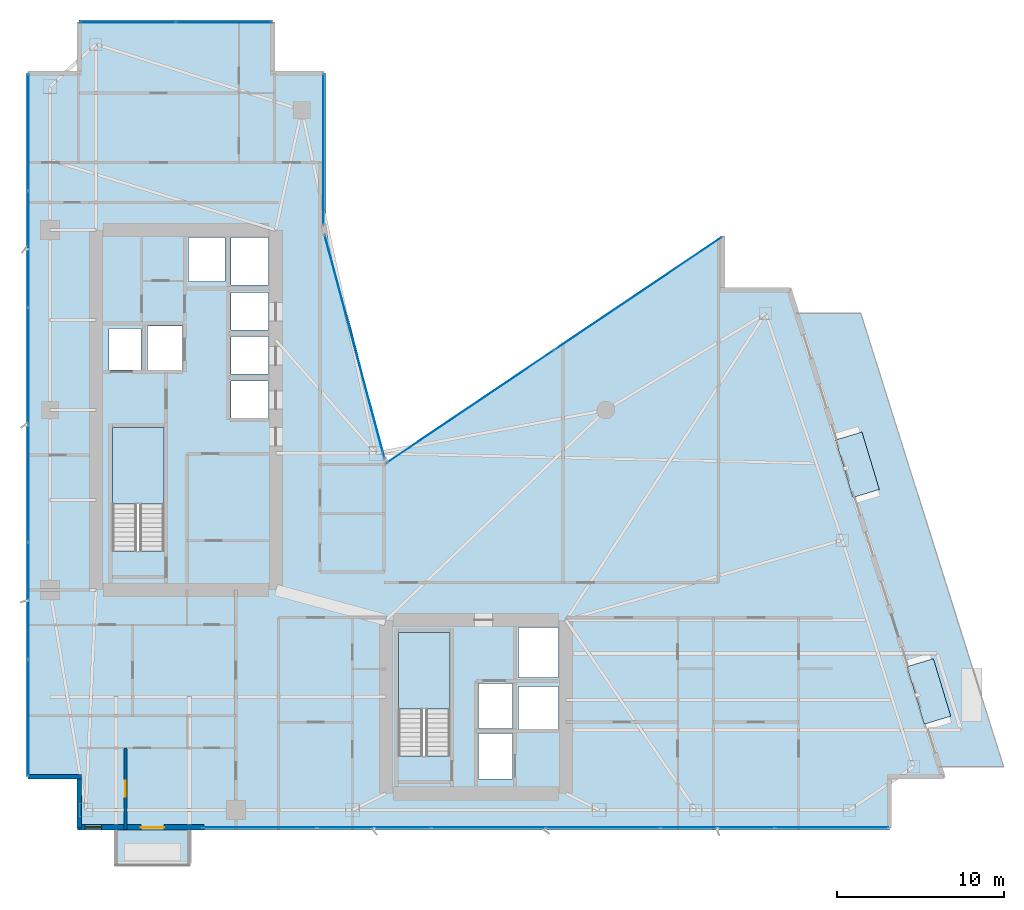
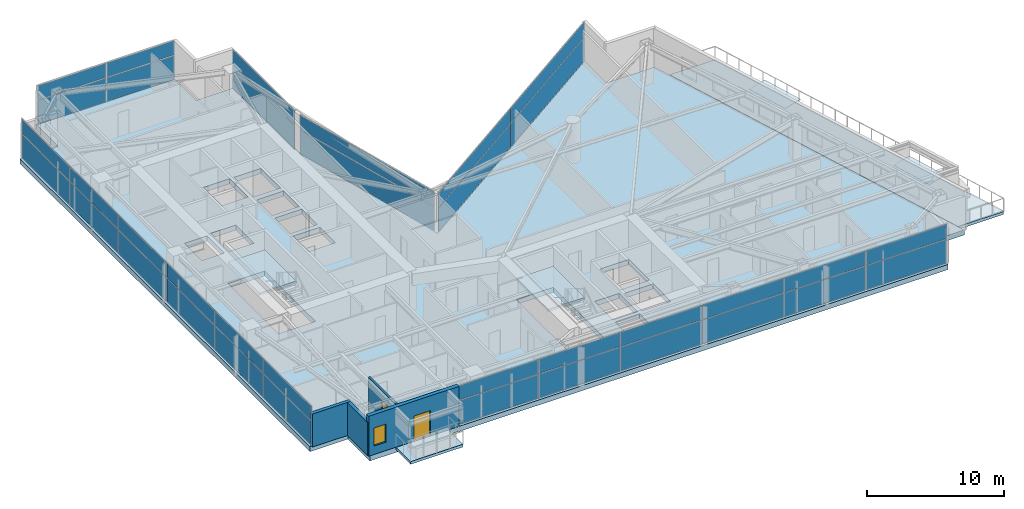
# One storey, part 23 of 30: 38 plates, 5 slabs, 4 walls, 2 doors, 1 window, 3 openings, 8 elements without a shape of their own.
"""IFC4 building model written with IfcOpenShell, lengths in metres."""

from ifc_helpers import new_model, si_unit, direction, frame, frame_2d, origin, origin_2d, place, context, subcontext, project, spatial, polyline, rectangle, outline, extrude, material, layer, layer_set, type_object, element, fill, aggregate, save


model = new_model("IFC4")

# Units and contexts
model_context = context("Model", 3, precision=1e-05, world=origin(), true_north=direction((0.0, 1.0)))
body_context = subcontext(model_context, "Body", "Model", "MODEL_VIEW")
ifc_project = project(units=[si_unit("LENGTHUNIT", "METRE"), si_unit("AREAUNIT", "SQUARE_METRE"), si_unit("VOLUMEUNIT", "CUBIC_METRE"), si_unit("PLANEANGLEUNIT", "RADIAN"), si_unit("MASSUNIT", "GRAM", prefix="KILO")], contexts=[model_context])

# Site, building, storey
site_placement = place(None, origin())
site = spatial("IfcSite", under=ifc_project, at=site_placement, CompositionType="ELEMENT")
building_placement = place(site_placement, origin())
building = spatial("IfcBuilding", under=site, at=building_placement, Name="Calvorn Quay Hotel", CompositionType="ELEMENT")
storey_placement = place(building_placement, frame((0.0, 0.0, 191.300048828125)))
storey = spatial("IfcBuildingStorey", under=building, at=storey_placement, Name="L47", CompositionType="ELEMENT", Elevation=191.300048828125)

# Curtain wall, plates
ifc_material_1 = material(Name="Champagne Bronze Anodised Aluminium and Low-E Glass", Category="aluminium")
ifc_layer_1 = layer(ifc_material_1, 0.219970703125)
ifc_layer_set_1 = layer_set([ifc_layer_1], Name="CW-SYS-Z3")
curtain_wall_type = type_object("IfcCurtainWallType", Name="CW-SYS-Z3", PredefinedType="NOTDEFINED", material=ifc_layer_set_1)
curtain_wall_1_placement = place(storey_placement, origin())
curtain_wall_1 = element("IfcCurtainWall", 1, at=curtain_wall_1_placement, inside=storey, type_object=curtain_wall_type, Name="Tower West Curtain Wall (L47)", PredefinedType="NOTDEFINED")
ifc_material_2 = material(Name="Low-E Laminated Double Glazing", Category="glass")
ifc_layer_2 = layer(ifc_material_2, 0.028076171875)
ifc_layer_set_2 = layer_set([ifc_layer_2], Name="CW-SYS-Z3-PAN")
plate_type_1 = type_object("IfcPlateType", Name="CW-SYS-Z3-PAN", PredefinedType="CURTAIN_PANEL", material=ifc_layer_set_2)
plate_1_placement = place(storey_placement, frame((0.14990234375, 9.131591796875, 0.06005859375), z_axis=(0.0, 0.0, 1.0), x_axis=(0.0, 1.0, 0.0)))
plate_1 = element("IfcPlate", 2, at=plate_1_placement, type_object=plate_type_1, Name="CW-L47-W panel 1.1", PredefinedType="CURTAIN_PANEL", context=body_context, shape_type="SweptSolid", body=[
    extrude(rectangle(XDim=6.943359375, YDim=0.028076171875, at=origin_2d()), origin(), (0.0, 0.0, 1.0), 2.110107421875),
])
plate_2_placement = place(storey_placement, frame((0.14990234375, 9.131591796875, 2.22998046875), z_axis=(0.0, 0.0, 1.0), x_axis=(0.0, 1.0, 0.0)))
plate_2 = element("IfcPlate", 3, at=plate_2_placement, type_object=plate_type_1, Name="CW-L47-W panel 1.2", PredefinedType="CURTAIN_PANEL", context=body_context, shape_type="SweptSolid", body=[
    extrude(rectangle(XDim=6.943359375, YDim=0.028076171875, at=origin_2d()), origin(), (0.0, 0.0, 1.0), 1.27001953125),
])
plate_3_placement = place(storey_placement, frame((0.14990234375, 16.14990234375, 0.06005859375), z_axis=(0.0, 0.0, 1.0), x_axis=(0.0, 1.0, 0.0)))
plate_3 = element("IfcPlate", 4, at=plate_3_placement, type_object=plate_type_1, Name="CW-L47-W panel 2.1", PredefinedType="CURTAIN_PANEL", context=body_context, shape_type="SweptSolid", body=[
    extrude(rectangle(XDim=6.973388671875, YDim=0.028076171875, at=origin_2d()), origin(), (0.0, 0.0, 1.0), 2.110107421875),
])
plate_4_placement = place(storey_placement, frame((0.14990234375, 16.14990234375, 2.22998046875), z_axis=(0.0, 0.0, 1.0), x_axis=(0.0, 1.0, 0.0)))
plate_4 = element("IfcPlate", 5, at=plate_4_placement, type_object=plate_type_1, Name="CW-L47-W panel 2.2", PredefinedType="CURTAIN_PANEL", context=body_context, shape_type="SweptSolid", body=[
    extrude(rectangle(XDim=6.973388671875, YDim=0.028076171875, at=origin_2d()), origin(), (0.0, 0.0, 1.0), 1.27001953125),
])
plate_5_placement = place(storey_placement, frame((0.14990234375, 23.183349609375, 0.06005859375), z_axis=(0.0, 0.0, 1.0), x_axis=(0.0, 1.0, 0.0)))
plate_5 = element("IfcPlate", 6, at=plate_5_placement, type_object=plate_type_1, Name="CW-L47-W panel 3.1", PredefinedType="CURTAIN_PANEL", context=body_context, shape_type="SweptSolid", body=[
    extrude(rectangle(XDim=6.973388671875, YDim=0.028076171875, at=origin_2d()), origin(), (0.0, 0.0, 1.0), 2.110107421875),
])
plate_6_placement = place(storey_placement, frame((0.14990234375, 23.183349609375, 2.22998046875), z_axis=(0.0, 0.0, 1.0), x_axis=(0.0, 1.0, 0.0)))
plate_6 = element("IfcPlate", 7, at=plate_6_placement, type_object=plate_type_1, Name="CW-L47-W panel 3.2", PredefinedType="CURTAIN_PANEL", context=body_context, shape_type="SweptSolid", body=[
    extrude(rectangle(XDim=6.973388671875, YDim=0.028076171875, at=origin_2d()), origin(), (0.0, 0.0, 1.0), 1.27001953125),
])
plate_7_placement = place(storey_placement, frame((0.14990234375, 30.216552734375, 0.06005859375), z_axis=(0.0, 0.0, 1.0), x_axis=(0.0, 1.0, 0.0)))
plate_7 = element("IfcPlate", 8, at=plate_7_placement, type_object=plate_type_1, Name="CW-L47-W panel 4.1", PredefinedType="CURTAIN_PANEL", context=body_context, shape_type="SweptSolid", body=[
    extrude(rectangle(XDim=6.973388671875, YDim=0.028076171875, at=origin_2d()), origin(), (0.0, 0.0, 1.0), 2.110107421875),
])
plate_8_placement = place(storey_placement, frame((0.14990234375, 30.216552734375, 2.22998046875), z_axis=(0.0, 0.0, 1.0), x_axis=(0.0, 1.0, 0.0)))
plate_8 = element("IfcPlate", 9, at=plate_8_placement, type_object=plate_type_1, Name="CW-L47-W panel 4.2", PredefinedType="CURTAIN_PANEL", context=body_context, shape_type="SweptSolid", body=[
    extrude(rectangle(XDim=6.973388671875, YDim=0.028076171875, at=origin_2d()), origin(), (0.0, 0.0, 1.0), 1.27001953125),
])
plate_9_placement = place(storey_placement, frame((0.14990234375, 37.25, 0.06005859375), z_axis=(0.0, 0.0, 1.0), x_axis=(0.0, 1.0, 0.0)))
plate_9 = element("IfcPlate", 10, at=plate_9_placement, type_object=plate_type_1, Name="CW-L47-W panel 5.1", PredefinedType="CURTAIN_PANEL", context=body_context, shape_type="SweptSolid", body=[
    extrude(rectangle(XDim=6.973388671875, YDim=0.028076171875, at=origin_2d()), origin(), (0.0, 0.0, 1.0), 2.110107421875),
])
plate_10_placement = place(storey_placement, frame((0.14990234375, 37.25, 2.22998046875), z_axis=(0.0, 0.0, 1.0), x_axis=(0.0, 1.0, 0.0)))
plate_10 = element("IfcPlate", 11, at=plate_10_placement, type_object=plate_type_1, Name="CW-L47-W panel 5.2", PredefinedType="CURTAIN_PANEL", context=body_context, shape_type="SweptSolid", body=[
    extrude(rectangle(XDim=6.973388671875, YDim=0.028076171875, at=origin_2d()), origin(), (0.0, 0.0, 1.0), 1.27001953125),
])
plate_11_placement = place(storey_placement, frame((0.14990234375, 44.268310546875, 0.06005859375), z_axis=(0.0, 0.0, 1.0), x_axis=(0.0, 1.0, 0.0)))
plate_11 = element("IfcPlate", 12, at=plate_11_placement, type_object=plate_type_1, Name="CW-L47-W panel 6.1", PredefinedType="CURTAIN_PANEL", context=body_context, shape_type="SweptSolid", body=[
    extrude(rectangle(XDim=6.943359375, YDim=0.028076171875, at=origin_2d()), origin(), (0.0, 0.0, 1.0), 2.110107421875),
])
plate_12_placement = place(storey_placement, frame((0.14990234375, 44.268310546875, 2.22998046875), z_axis=(0.0, 0.0, 1.0), x_axis=(0.0, 1.0, 0.0)))
plate_12 = element("IfcPlate", 13, at=plate_12_placement, type_object=plate_type_1, Name="CW-L47-W panel 6.2", PredefinedType="CURTAIN_PANEL", context=body_context, shape_type="SweptSolid", body=[
    extrude(rectangle(XDim=6.943359375, YDim=0.028076171875, at=origin_2d()), origin(), (0.0, 0.0, 1.0), 1.27001953125),
])
aggregate(curtain_wall_1, [plate_1, plate_2, plate_3, plate_4, plate_5, plate_6, plate_7, plate_8, plate_9, plate_10, plate_11, plate_12])

curtain_wall_2_placement = place(storey_placement, origin())
curtain_wall_2 = element("IfcCurtainWall", 14, at=curtain_wall_2_placement, inside=storey, type_object=curtain_wall_type, Name="Tower South Waterfront Curtain Wall (L47)", PredefinedType="NOTDEFINED")
plate_13_placement = place(storey_placement, frame((14.04833984375, 2.550048828125, 0.06005859375), z_axis=(0.0, 0.0, 1.0), x_axis=(1.0, 0.0, 0.0)))
plate_13 = element("IfcPlate", 15, at=plate_13_placement, type_object=plate_type_1, Name="CW-L47-S panel 1.1", PredefinedType="CURTAIN_PANEL", context=body_context, shape_type="SweptSolid", body=[
    extrude(rectangle(XDim=6.776611328125, YDim=0.028076171875, at=origin_2d()), origin(), (0.0, 0.0, 1.0), 2.110107421875),
])
plate_14_placement = place(storey_placement, frame((14.04833984375, 2.550048828125, 2.22998046875), z_axis=(0.0, 0.0, 1.0), x_axis=(1.0, 0.0, 0.0)))
plate_14 = element("IfcPlate", 16, at=plate_14_placement, type_object=plate_type_1, Name="CW-L47-S panel 1.2", PredefinedType="CURTAIN_PANEL", context=body_context, shape_type="SweptSolid", body=[
    extrude(rectangle(XDim=6.776611328125, YDim=0.028076171875, at=origin_2d()), origin(), (0.0, 0.0, 1.0), 1.27001953125),
])
plate_15_placement = place(storey_placement, frame((20.89990234375, 2.550048828125, 0.06005859375), z_axis=(0.0, 0.0, 1.0), x_axis=(1.0, 0.0, 0.0)))
plate_15 = element("IfcPlate", 17, at=plate_15_placement, type_object=plate_type_1, Name="CW-L47-S panel 2.1", PredefinedType="CURTAIN_PANEL", context=body_context, shape_type="SweptSolid", body=[
    extrude(rectangle(XDim=6.806640625, YDim=0.028076171875, at=origin_2d()), origin(), (0.0, 0.0, 1.0), 2.110107421875),
])
plate_16_placement = place(storey_placement, frame((20.89990234375, 2.550048828125, 2.22998046875), z_axis=(0.0, 0.0, 1.0), x_axis=(1.0, 0.0, 0.0)))
plate_16 = element("IfcPlate", 18, at=plate_16_placement, type_object=plate_type_1, Name="CW-L47-S panel 2.2", PredefinedType="CURTAIN_PANEL", context=body_context, shape_type="SweptSolid", body=[
    extrude(rectangle(XDim=6.806640625, YDim=0.028076171875, at=origin_2d()), origin(), (0.0, 0.0, 1.0), 1.27001953125),
])
plate_17_placement = place(storey_placement, frame((27.7666015625, 2.550048828125, 0.06005859375), z_axis=(0.0, 0.0, 1.0), x_axis=(1.0, 0.0, 0.0)))
plate_17 = element("IfcPlate", 19, at=plate_17_placement, type_object=plate_type_1, Name="CW-L47-S panel 3.1", PredefinedType="CURTAIN_PANEL", context=body_context, shape_type="SweptSolid", body=[
    extrude(rectangle(XDim=6.806640625, YDim=0.028076171875, at=origin_2d()), origin(), (0.0, 0.0, 1.0), 2.110107421875),
])
plate_18_placement = place(storey_placement, frame((27.7666015625, 2.550048828125, 2.22998046875), z_axis=(0.0, 0.0, 1.0), x_axis=(1.0, 0.0, 0.0)))
plate_18 = element("IfcPlate", 20, at=plate_18_placement, type_object=plate_type_1, Name="CW-L47-S panel 3.2", PredefinedType="CURTAIN_PANEL", context=body_context, shape_type="SweptSolid", body=[
    extrude(rectangle(XDim=6.806640625, YDim=0.028076171875, at=origin_2d()), origin(), (0.0, 0.0, 1.0), 1.27001953125),
])
plate_19_placement = place(storey_placement, frame((34.63330078125, 2.550048828125, 0.06005859375), z_axis=(0.0, 0.0, 1.0), x_axis=(1.0, 0.0, 0.0)))
plate_19 = element("IfcPlate", 21, at=plate_19_placement, type_object=plate_type_1, Name="CW-L47-S panel 4.1", PredefinedType="CURTAIN_PANEL", context=body_context, shape_type="SweptSolid", body=[
    extrude(rectangle(XDim=6.806640625, YDim=0.028076171875, at=origin_2d()), origin(), (0.0, 0.0, 1.0), 2.110107421875),
])
plate_20_placement = place(storey_placement, frame((34.63330078125, 2.550048828125, 2.22998046875), z_axis=(0.0, 0.0, 1.0), x_axis=(1.0, 0.0, 0.0)))
plate_20 = element("IfcPlate", 22, at=plate_20_placement, type_object=plate_type_1, Name="CW-L47-S panel 4.2", PredefinedType="CURTAIN_PANEL", context=body_context, shape_type="SweptSolid", body=[
    extrude(rectangle(XDim=6.806640625, YDim=0.028076171875, at=origin_2d()), origin(), (0.0, 0.0, 1.0), 1.27001953125),
])
plate_21_placement = place(storey_placement, frame((41.5, 2.550048828125, 0.06005859375), z_axis=(0.0, 0.0, 1.0), x_axis=(1.0, 0.0, 0.0)))
plate_21 = element("IfcPlate", 23, at=plate_21_placement, type_object=plate_type_1, Name="CW-L47-S panel 5.1", PredefinedType="CURTAIN_PANEL", context=body_context, shape_type="SweptSolid", body=[
    extrude(rectangle(XDim=6.806640625, YDim=0.028076171875, at=origin_2d()), origin(), (0.0, 0.0, 1.0), 2.110107421875),
])
plate_22_placement = place(storey_placement, frame((41.5, 2.550048828125, 2.22998046875), z_axis=(0.0, 0.0, 1.0), x_axis=(1.0, 0.0, 0.0)))
plate_22 = element("IfcPlate", 24, at=plate_22_placement, type_object=plate_type_1, Name="CW-L47-S panel 5.2", PredefinedType="CURTAIN_PANEL", context=body_context, shape_type="SweptSolid", body=[
    extrude(rectangle(XDim=6.806640625, YDim=0.028076171875, at=origin_2d()), origin(), (0.0, 0.0, 1.0), 1.27001953125),
])
plate_23_placement = place(storey_placement, frame((48.3515625, 2.550048828125, 0.06005859375), z_axis=(0.0, 0.0, 1.0), x_axis=(1.0, 0.0, 0.0)))
plate_23 = element("IfcPlate", 25, at=plate_23_placement, type_object=plate_type_1, Name="CW-L47-S panel 6.1", PredefinedType="CURTAIN_PANEL", context=body_context, shape_type="SweptSolid", body=[
    extrude(rectangle(XDim=6.776611328125, YDim=0.028076171875, at=origin_2d()), origin(), (0.0, 0.0, 1.0), 2.110107421875),
])
plate_24_placement = place(storey_placement, frame((48.3515625, 2.550048828125, 2.22998046875), z_axis=(0.0, 0.0, 1.0), x_axis=(1.0, 0.0, 0.0)))
plate_24 = element("IfcPlate", 26, at=plate_24_placement, type_object=plate_type_1, Name="CW-L47-S panel 6.2", PredefinedType="CURTAIN_PANEL", context=body_context, shape_type="SweptSolid", body=[
    extrude(rectangle(XDim=6.776611328125, YDim=0.028076171875, at=origin_2d()), origin(), (0.0, 0.0, 1.0), 1.27001953125),
])
aggregate(curtain_wall_2, [plate_13, plate_14, plate_15, plate_16, plate_17, plate_18, plate_19, plate_20, plate_21, plate_22, plate_23, plate_24])

curtain_wall_3_placement = place(storey_placement, origin())
curtain_wall_3 = element("IfcCurtainWall", 27, at=curtain_wall_3_placement, inside=storey, type_object=curtain_wall_type, Name="Inner Court Curtain Wall L47-NE1", PredefinedType="NOTDEFINED")
plate_25_placement = place(storey_placement, frame((36.737548828125, 34.591552734375, 0.06005859375), z_axis=(0.0, 0.0, 1.0), x_axis=(-0.82951457798, -0.558485062395, 0.0)))
plate_25 = element("IfcPlate", 28, at=plate_25_placement, type_object=plate_type_1, Name="CW-L47-NE1 panel 1.1", PredefinedType="CURTAIN_PANEL", context=body_context, shape_type="SweptSolid", body=[
    extrude(rectangle(XDim=12.085693359375, YDim=0.028076171875, at=origin_2d()), origin(), (0.0, 0.0, 1.0), 2.110107421875),
])
plate_26_placement = place(storey_placement, frame((36.737548828125, 34.591552734375, 2.22998046875), z_axis=(0.0, 0.0, 1.0), x_axis=(-0.82951457798, -0.558485062395, 0.0)))
plate_26 = element("IfcPlate", 29, at=plate_26_placement, type_object=plate_type_1, Name="CW-L47-NE1 panel 1.2", PredefinedType="CURTAIN_PANEL", context=body_context, shape_type="SweptSolid", body=[
    extrude(rectangle(XDim=12.085693359375, YDim=0.028076171875, at=origin_2d()), origin(), (0.0, 0.0, 1.0), 1.27001953125),
])
plate_27_placement = place(storey_placement, frame((26.662353515625, 27.808349609375, 0.06005859375), z_axis=(0.0, 0.0, 1.0), x_axis=(-0.82951457798, -0.558485062395, 0.0)))
plate_27 = element("IfcPlate", 30, at=plate_27_placement, type_object=plate_type_1, Name="CW-L47-NE1 panel 2.1", PredefinedType="CURTAIN_PANEL", context=body_context, shape_type="SweptSolid", body=[
    extrude(rectangle(XDim=12.085693359375, YDim=0.028076171875, at=origin_2d()), origin(), (0.0, 0.0, 1.0), 2.110107421875),
])
plate_28_placement = place(storey_placement, frame((26.662353515625, 27.808349609375, 2.22998046875), z_axis=(0.0, 0.0, 1.0), x_axis=(-0.82951457798, -0.558485062395, 0.0)))
plate_28 = element("IfcPlate", 31, at=plate_28_placement, type_object=plate_type_1, Name="CW-L47-NE1 panel 2.2", PredefinedType="CURTAIN_PANEL", context=body_context, shape_type="SweptSolid", body=[
    extrude(rectangle(XDim=12.085693359375, YDim=0.028076171875, at=origin_2d()), origin(), (0.0, 0.0, 1.0), 1.27001953125),
])
aggregate(curtain_wall_3, [plate_25, plate_26, plate_27, plate_28])

curtain_wall_4_placement = place(storey_placement, origin())
curtain_wall_4 = element("IfcCurtainWall", 32, at=curtain_wall_4_placement, inside=storey, type_object=curtain_wall_type, Name="Inner Court Curtain Wall L47-IC1", PredefinedType="NOTDEFINED")
plate_29_placement = place(storey_placement, frame((19.72509765625, 31.39990234375, 0.06005859375), z_axis=(0.0, 0.0, 1.0), x_axis=(-0.25877913024, 0.96593652056, 0.0)))
plate_29 = element("IfcPlate", 33, at=plate_29_placement, type_object=plate_type_1, Name="CW-L47-IC1 panel 1.1", PredefinedType="CURTAIN_PANEL", context=body_context, shape_type="SweptSolid", body=[
    extrude(rectangle(XDim=13.814697265625, YDim=0.028076171875, at=origin_2d()), origin(), (0.0, 0.0, 1.0), 2.110107421875),
])
plate_30_placement = place(storey_placement, frame((19.72509765625, 31.39990234375, 2.22998046875), z_axis=(0.0, 0.0, 1.0), x_axis=(-0.25877913024, 0.96593652056, 0.0)))
plate_30 = element("IfcPlate", 34, at=plate_30_placement, type_object=plate_type_1, Name="CW-L47-IC1 panel 1.2", PredefinedType="CURTAIN_PANEL", context=body_context, shape_type="SweptSolid", body=[
    extrude(rectangle(XDim=13.814697265625, YDim=0.028076171875, at=origin_2d()), origin(), (0.0, 0.0, 1.0), 1.27001953125),
])
aggregate(curtain_wall_4, [plate_29, plate_30])

curtain_wall_5_placement = place(storey_placement, origin())
curtain_wall_5 = element("IfcCurtainWall", 35, at=curtain_wall_5_placement, inside=storey, type_object=curtain_wall_type, Name="Inner Court Curtain Wall L47-IC2", PredefinedType="NOTDEFINED")
plate_31_placement = place(storey_placement, frame((17.85009765625, 43.239990234375, 0.06005859375), z_axis=(0.0, 0.0, 1.0), x_axis=(0.0, 1.0, 0.0)))
plate_31 = element("IfcPlate", 36, at=plate_31_placement, type_object=plate_type_1, Name="CW-L47-IC2 panel 1.1", PredefinedType="CURTAIN_PANEL", context=body_context, shape_type="SweptSolid", body=[
    extrude(rectangle(XDim=9.0, YDim=0.028076171875, at=origin_2d()), origin(), (0.0, 0.0, 1.0), 2.110107421875),
])
plate_32_placement = place(storey_placement, frame((17.85009765625, 43.239990234375, 2.22998046875), z_axis=(0.0, 0.0, 1.0), x_axis=(0.0, 1.0, 0.0)))
plate_32 = element("IfcPlate", 37, at=plate_32_placement, type_object=plate_type_1, Name="CW-L47-IC2 panel 1.2", PredefinedType="CURTAIN_PANEL", context=body_context, shape_type="SweptSolid", body=[
    extrude(rectangle(XDim=9.0, YDim=0.028076171875, at=origin_2d()), origin(), (0.0, 0.0, 1.0), 1.27001953125),
])
aggregate(curtain_wall_5, [plate_31, plate_32])

curtain_wall_6_placement = place(storey_placement, origin())
curtain_wall_6 = element("IfcCurtainWall", 38, at=curtain_wall_6_placement, inside=storey, type_object=curtain_wall_type, Name="Inner Court Curtain Wall L47-N1", PredefinedType="NOTDEFINED")
plate_33_placement = place(storey_placement, frame((11.885009765625, 50.85009765625, 0.06005859375), z_axis=(0.0, 0.0, 1.0), x_axis=(-1.0, 0.0, 0.0)))
plate_33 = element("IfcPlate", 39, at=plate_33_placement, type_object=plate_type_1, Name="CW-L47-N1 panel 1.1", PredefinedType="CURTAIN_PANEL", context=body_context, shape_type="SweptSolid", body=[
    extrude(rectangle(XDim=5.7099609375, YDim=0.028076171875, at=origin_2d()), origin(), (0.0, 0.0, 1.0), 2.110107421875),
])
plate_34_placement = place(storey_placement, frame((11.885009765625, 50.85009765625, 2.22998046875), z_axis=(0.0, 0.0, 1.0), x_axis=(-1.0, 0.0, 0.0)))
plate_34 = element("IfcPlate", 40, at=plate_34_placement, type_object=plate_type_1, Name="CW-L47-N1 panel 1.2", PredefinedType="CURTAIN_PANEL", context=body_context, shape_type="SweptSolid", body=[
    extrude(rectangle(XDim=5.7099609375, YDim=0.028076171875, at=origin_2d()), origin(), (0.0, 0.0, 1.0), 1.27001953125),
])
plate_35_placement = place(storey_placement, frame((6.114990234375, 50.85009765625, 0.06005859375), z_axis=(0.0, 0.0, 1.0), x_axis=(-1.0, 0.0, 0.0)))
plate_35 = element("IfcPlate", 41, at=plate_35_placement, type_object=plate_type_1, Name="CW-L47-N1 panel 2.1", PredefinedType="CURTAIN_PANEL", context=body_context, shape_type="SweptSolid", body=[
    extrude(rectangle(XDim=5.7099609375, YDim=0.028076171875, at=origin_2d()), origin(), (0.0, 0.0, 1.0), 2.110107421875),
])
plate_36_placement = place(storey_placement, frame((6.114990234375, 50.85009765625, 2.22998046875), z_axis=(0.0, 0.0, 1.0), x_axis=(-1.0, 0.0, 0.0)))
plate_36 = element("IfcPlate", 42, at=plate_36_placement, type_object=plate_type_1, Name="CW-L47-N1 panel 2.2", PredefinedType="CURTAIN_PANEL", context=body_context, shape_type="SweptSolid", body=[
    extrude(rectangle(XDim=5.7099609375, YDim=0.028076171875, at=origin_2d()), origin(), (0.0, 0.0, 1.0), 1.27001953125),
])
aggregate(curtain_wall_6, [plate_33, plate_34, plate_35, plate_36])

# Plates
ifc_material_3 = material(Name="Tempered Laminated Low-E Glass", Category="glass")
ifc_layer_3 = layer(ifc_material_3, 0.0380859375)
ifc_layer_set_3 = layer_set([ifc_layer_3], Name="PLT-HOOD-GLAZ")
plate_type_2 = type_object("IfcPlateType", Name="PLT-HOOD-GLAZ", PredefinedType="SHEET", material=ifc_layer_set_3)
for number, where, z_axis, x_axis, name in (
    (43, (54.174072265625, 10.718017578125, 2.466796875), (0.0, 0.0, 1.0), (0.957319497532, 0.289031796944, 0.0), "Angled Glass Bay Hood Panel L47-HOOD-1"),
    (44, (49.888916015625, 24.318115234375, 2.466796875), (0.0, 0.0, 1.0), (0.957319497532, 0.289031796944, 0.0), "Angled Glass Bay Hood Panel L47-HOOD-3"),
):
    element("IfcPlate", number, at=place(storey_placement, frame(where, z_axis=z_axis, x_axis=x_axis)), inside=storey, type_object=plate_type_2, Name=name, PredefinedType="SHEET", context=body_context, shape_type="SweptSolid", body=[
        extrude(rectangle(XDim=1.659912109375, YDim=3.60009765625, at=origin_2d()), origin(), (0.0, 0.0, 1.0), 0.0380859375),
    ])

# Slab
ifc_material_4 = material(Name="Concrete C40", Category="concrete")
ifc_layer_4 = layer(ifc_material_4, 0.239990234375)
ifc_layer_set_4 = layer_set([ifc_layer_4], Name="SLB-BALCONY-220")
slab_type_1 = type_object("IfcSlabType", Name="SLB-BALCONY-220", PredefinedType="FLOOR", material=ifc_layer_set_4)
slab_1_placement = place(storey_placement, frame((0.0, 0.0, -0.239990234375)))
element("IfcSlab", 45, at=slab_1_placement, inside=storey, type_object=slab_type_1, Name="Tree Balcony Slab L47-BALC-S", PredefinedType="FLOOR", context=body_context, shape_type="SweptSolid", body=[
    extrude(outline(polyline([(5.39990234375, 0.2900390625), (9.800048828125, 0.2900390625), (9.800048828125, 2.389892578125), (5.39990234375, 2.389892578125), (5.39990234375, 0.2900390625)])), origin(), (0.0, 0.0, 1.0), 0.239990234375),
])

# Stair, slab
ifc_material_5 = material(Name="Concrete C40", Category="concrete")
stair_type = type_object("IfcStairType", Name="STR-CORE-DOGLEG", PredefinedType="HALF_TURN_STAIR", material=ifc_material_5)
stair_1_placement = place(storey_placement, origin())
stair_1 = element("IfcStair", 46, at=stair_1_placement, inside=storey, type_object=stair_type, Name="L47 ST-W", PredefinedType="HALF_TURN_STAIR")
ifc_material_6 = material(Name="Concrete C40", Category="concrete")
ifc_layer_5 = layer(ifc_material_6, 0.199951171875)
ifc_layer_set_5 = layer_set([ifc_layer_5], Name="SLB-STAIR-LANDING-200")
slab_type_2 = type_object("IfcSlabType", Name="SLB-STAIR-LANDING-200", PredefinedType="LANDING", material=ifc_layer_set_5)
slab_2_placement = place(storey_placement, frame((0.0, 0.0, 1.699951171875)))
slab_2 = element("IfcSlab", 47, at=slab_2_placement, type_object=slab_type_2, Name="ST-W landing 1", PredefinedType="LANDING", context=body_context, shape_type="SweptSolid", body=[
    extrude(outline(polyline([(8.300048828125, 21.949951171875), (8.300048828125, 26.550048828125), (5.199951171875, 26.550048828125), (5.199951171875, 21.949951171875), (8.300048828125, 21.949951171875)])), origin(), (0.0, 0.0, 1.0), 0.199951171875),
])
aggregate(stair_1, [slab_2])

stair_2_placement = place(storey_placement, origin())
stair_2 = element("IfcStair", 48, at=stair_2_placement, inside=storey, type_object=stair_type, Name="L47 ST-E", PredefinedType="HALF_TURN_STAIR")
slab_3_placement = place(storey_placement, frame((0.0, 0.0, 1.699951171875)))
slab_3 = element("IfcSlab", 49, at=slab_3_placement, type_object=slab_type_2, Name="ST-E landing 1", PredefinedType="LANDING", context=body_context, shape_type="SweptSolid", body=[
    extrude(outline(polyline([(25.449951171875, 9.64990234375), (25.449951171875, 14.25), (22.35009765625, 14.25), (22.35009765625, 9.64990234375), (25.449951171875, 9.64990234375)])), origin(), (0.0, 0.0, 1.0), 0.199951171875),
])
aggregate(stair_2, [slab_3])

# Slabs
ifc_material_7 = material(Name="Concrete C40", Category="concrete")
ifc_layer_6 = layer(ifc_material_7, 0.260009765625)
ifc_layer_set_6 = layer_set([ifc_layer_6], Name="SLB-TERRACE-260")
slab_type_3 = type_object("IfcSlabType", Name="SLB-TERRACE-260", PredefinedType="ROOF", material=ifc_layer_set_6)
slab_4_placement = place(storey_placement, frame((0.0, 0.0, -0.260009765625)))
element("IfcSlab", 50, at=slab_4_placement, inside=storey, type_object=slab_type_3, Name="Sawtooth Setback Terrace Slab L47", PredefinedType="ROOF", context=body_context, shape_type="SweptSolid", body=[
    extrude(outline(polyline([(54.8310546875, 6.199951171875), (58.660888671875, 6.199951171875), (50.091064453125, 33.39990234375), (46.260986328125, 33.39990234375), (54.8310546875, 6.199951171875)])), origin(), (0.0, 0.0, 1.0), 0.260009765625),
])
ifc_material_8 = material(Name="Concrete C50", Category="concrete")
ifc_layer_7 = layer(ifc_material_8, 0.449951171875)
ifc_layer_set_7 = layer_set([ifc_layer_7], Name="SLB-XFER-450")
slab_type_4 = type_object("IfcSlabType", Name="SLB-XFER-450", PredefinedType="FLOOR", material=ifc_layer_set_7)
slab_5_placement = place(storey_placement, frame((0.0, 0.0, -0.449951171875)))
element("IfcSlab", 51, at=slab_5_placement, inside=storey, type_object=slab_type_4, Name="L47 Structural Floor Slab", PredefinedType="FLOOR", context=body_context, shape_type="SweptSolid", body=[
    extrude(outline(polyline([(0.0, 5.60009765625), (3.199951171875, 5.60009765625), (3.199951171875, 2.39990234375), (51.800048828125, 2.39990234375), (51.800048828125, 5.60009765625), (55.0, 5.60009765625), (45.800048828125, 34.800048828125), (41.800048828125, 34.800048828125), (41.800048828125, 38.0), (21.60009765625, 24.39990234375), (18.0, 38.39990234375), (18.0, 47.800048828125), (14.800048828125, 47.800048828125), (14.800048828125, 51.0), (3.199951171875, 51.0), (3.199951171875, 47.800048828125), (0.0, 47.800048828125), (0.0, 5.60009765625)]), holes=[polyline([(5.199951171875, 19.156005859375), (8.300048828125, 19.156005859375), (8.300048828125, 26.550048828125), (5.199951171875, 26.550048828125), (5.199951171875, 19.156005859375)]), polyline([(22.35009765625, 6.85595703125), (25.449951171875, 6.85595703125), (25.449951171875, 14.25), (22.35009765625, 14.25), (22.35009765625, 6.85595703125)]), polyline([(5.0, 30.0), (6.89990234375, 30.0), (6.89990234375, 32.5), (5.0, 32.5), (5.0, 30.0)]), polyline([(7.300048828125, 30.0), (9.39990234375, 30.0), (9.39990234375, 32.64990234375), (7.300048828125, 32.64990234375), (7.300048828125, 30.0)]), polyline([(27.159912109375, 8.5), (29.2099609375, 8.5), (29.2099609375, 11.199951171875), (27.159912109375, 11.199951171875), (27.159912109375, 8.5)]), polyline([(27.159912109375, 5.449951171875), (29.2099609375, 5.449951171875), (29.2099609375, 8.199951171875), (27.159912109375, 8.199951171875), (27.159912109375, 5.449951171875)]), polyline([(12.300048828125, 27.10009765625), (14.56494140625, 27.10009765625), (14.56494140625, 29.35009765625), (12.300048828125, 29.35009765625), (12.300048828125, 27.10009765625)]), polyline([(12.300048828125, 29.75), (14.56494140625, 29.75), (14.56494140625, 32.0), (12.300048828125, 32.0), (12.300048828125, 29.75)]), polyline([(12.300048828125, 32.39990234375), (14.56494140625, 32.39990234375), (14.56494140625, 34.64990234375), (12.300048828125, 34.64990234375), (12.300048828125, 32.39990234375)]), polyline([(12.300048828125, 35.10009765625), (14.56494140625, 35.10009765625), (14.56494140625, 37.965087890625), (12.300048828125, 37.965087890625), (12.300048828125, 35.10009765625)]), polyline([(9.75, 35.300048828125), (11.949951171875, 35.300048828125), (11.949951171875, 37.965087890625), (9.75, 37.965087890625), (9.75, 35.300048828125)]), polyline([(29.550048828125, 11.550048828125), (31.965087890625, 11.550048828125), (31.965087890625, 14.56494140625), (29.550048828125, 14.56494140625), (29.550048828125, 11.550048828125)]), polyline([(29.550048828125, 8.449951171875), (31.965087890625, 8.449951171875), (31.965087890625, 11.0), (29.550048828125, 11.0), (29.550048828125, 8.449951171875)])]), origin(), (0.0, 0.0, 1.0), 0.449951171875),
])

# Wall, openings, door, window
ifc_material_9 = material(Name="Concrete C40", Category="concrete")
ifc_layer_8 = layer(ifc_material_9, 0.320068359375)
ifc_layer_set_8 = layer_set([ifc_layer_8], Name="WL-EXT-SPANDREL-320")
wall_type_1 = type_object("IfcWallType", Name="WL-EXT-SPANDREL-320", PredefinedType="SOLIDWALL", material=ifc_layer_set_8)
wall_1_placement = place(storey_placement, frame((3.10009765625, 2.56005859375, 0.0), z_axis=(0.0, 0.0, 1.0), x_axis=(1.0, 0.0, 0.0)))
wall_1 = element("IfcWall", 52, at=wall_1_placement, inside=storey, type_object=wall_type_1, Name="South Balcony Exterior Wall (L47)", PredefinedType="SOLIDWALL", context=body_context, shape_type="SweptSolid", body=[
    extrude(rectangle(XDim=7.599853515625, YDim=0.320068359375, at=frame_2d((3.7998046875, 0.0))), origin(), (0.0, 0.0, 1.0), 3.56005859375),
])
opening_1_placement = place(wall_1_placement, frame((0.449951171875, 0.0, 0.75)))
opening_1 = element("IfcOpeningElement", 53, at=opening_1_placement, cuts=wall_1, Name="Opening WSB-L47-1", PredefinedType="OPENING", context=body_context, shape_type="SweptSolid", body=[
    extrude(rectangle(XDim=1.0, YDim=1.60009765625, at=frame_2d((0.5, 0.800048828125))), frame((0.0, 0.169921875, 0.0), z_axis=(0.0, -1.0, 0.0), x_axis=(1.0, 0.0, 0.0)), (0.0, 0.0, 1.0), 0.340087890625),
])
opening_2_placement = place(wall_1_placement, frame((3.800048828125, 0.0, 0.0)))
opening_2 = element("IfcOpeningElement", 54, at=opening_2_placement, cuts=wall_1, Name="Opening DB-L47-1", PredefinedType="OPENING", context=body_context, shape_type="SweptSolid", body=[
    extrude(rectangle(XDim=1.39990234375, YDim=2.25, at=frame_2d((0.699951171875, 1.125))), frame((0.0, 0.169921875, 0.0), z_axis=(0.0, -1.0, 0.0), x_axis=(1.0, 0.0, 0.0)), (0.0, 0.0, 1.0), 0.340087890625),
])
ifc_material_10 = material(Name="Typhoon-Rated Low-E Aluminium Terrace Door", Category="aluminium")
door_type_1 = type_object("IfcDoorType", Name="DR-BALCONY-GLZ-1400", OperationType="NOTDEFINED", PredefinedType="DOOR", material=ifc_material_10)
door_1_placement = place(opening_2_placement, origin())
door_1 = element("IfcDoor", 55, at=door_1_placement, inside=storey, type_object=door_type_1, Name="Tree Balcony Terrace Door L47-BALC-S", OperationType="SINGLE_SWING_LEFT", OverallHeight=2.25, OverallWidth=1.39990234375, PredefinedType="DOOR", context=body_context, shape_type="SweptSolid", body=[
    extrude(rectangle(XDim=1.39990234375, YDim=2.25, at=frame_2d((0.699951171875, 1.125))), frame((0.0, 0.02490234375, 0.0), z_axis=(0.0, -1.0, 0.0), x_axis=(1.0, 0.0, 0.0)), (0.0, 0.0, 1.0), 0.050048828125),
])
fill(opening_2, door_1)
ifc_material_11 = material(Name="Self-Closing Class B Side Fire Window")
window_type = type_object("IfcWindowType", Name="WIN-REFUGE-NARROW-1000x1600", PartitioningType="SINGLE_PANEL", PredefinedType="WINDOW", material=ifc_material_11)
window_placement = place(opening_1_placement, origin())
window = element("IfcWindow", 56, at=window_placement, inside=storey, type_object=window_type, Name="South Waterfront Side Window (L47)", OverallHeight=1.60009765625, OverallWidth=1.0, PartitioningType="SINGLE_PANEL", PredefinedType="WINDOW", context=body_context, shape_type="SweptSolid", body=[
    extrude(rectangle(XDim=1.0, YDim=1.60009765625, at=frame_2d((0.5, 0.800048828125))), frame((0.0, 0.030029296875, 0.0), z_axis=(0.0, -1.0, 0.0), x_axis=(1.0, 0.0, 0.0)), (0.0, 0.0, 1.0), 0.06005859375),
])
fill(opening_1, window)

# Walls
wall_2_placement = place(storey_placement, frame((0.1201171875, 5.60009765625, 0.0), z_axis=(0.0, 0.0, 1.0), x_axis=(1.0, 0.0, 0.0)))
element("IfcWall", 57, at=wall_2_placement, inside=storey, type_object=wall_type_1, Name="Notched Corner Spandrel L47-SW1", PredefinedType="SOLIDWALL", context=body_context, shape_type="SweptSolid", body=[
    extrude(rectangle(XDim=3.219970703125, YDim=0.280029296875, at=frame_2d((1.60986328125, 0.0))), origin(), (0.0, 0.0, 1.0), 2.93994140625),
])
wall_3_placement = place(storey_placement, frame((3.199951171875, 5.4599609375, 0.0), z_axis=(0.0, 0.0, 1.0), x_axis=(0.0, -1.0, 0.0)))
element("IfcWall", 58, at=wall_3_placement, inside=storey, type_object=wall_type_1, Name="Notched Corner Spandrel L47-SW2", PredefinedType="SOLIDWALL", context=body_context, shape_type="SweptSolid", body=[
    extrude(rectangle(XDim=2.93994140625, YDim=0.280029296875, at=frame_2d((1.469970703125, 0.0))), origin(), (0.0, 0.0, 1.0), 2.93994140625),
])

# Wall, opening, door
ifc_material_12 = material(Name="Double-Stud Acoustic Gypsum Partition")
ifc_layer_9 = layer(ifc_material_12, 0.159912109375)
ifc_layer_set_9 = layer_set([ifc_layer_9], Name="WL-INTERSUITE-160")
wall_type_2 = type_object("IfcWallType", Name="WL-INTERSUITE-160", PredefinedType="PARTITIONING", material=ifc_layer_set_9)
wall_4_placement = place(storey_placement, frame((5.97998046875, 2.43994140625, 0.0), z_axis=(0.0, 0.0, 1.0), x_axis=(0.0, 1.0, 0.0)))
wall_4 = element("IfcWall", 59, at=wall_4_placement, inside=storey, type_object=wall_type_2, Name="Partition Wall L47-WL-U01-MSP", PredefinedType="PARTITIONING", context=body_context, shape_type="SweptSolid", body=[
    extrude(rectangle(XDim=4.880126953125, YDim=0.159912109375, at=frame_2d((2.43994140625, 0.0))), origin(), (0.0, 0.0, 1.0), 3.08984375),
])
opening_3_placement = place(wall_4_placement, frame((1.9599609375, 0.0, 0.0)))
opening_3 = element("IfcOpeningElement", 60, at=opening_3_placement, cuts=wall_4, Name="Opening D-L47-M01", PredefinedType="OPENING", context=body_context, shape_type="SweptSolid", body=[
    extrude(rectangle(XDim=0.9599609375, YDim=2.199951171875, at=frame_2d((0.47998046875, 1.10009765625))), frame((0.0, 0.08984375, 0.0), z_axis=(0.0, -1.0, 0.0), x_axis=(1.0, 0.0, 0.0)), (0.0, 0.0, 1.0), 0.179931640625),
])
ifc_material_13 = material(Name="Solid Timber Internal Suite Door", Category="wood")
door_type_2 = type_object("IfcDoorType", Name="DR-SUITE-INT-960", OperationType="NOTDEFINED", PredefinedType="DOOR", material=ifc_material_13)
door_2_placement = place(opening_3_placement, origin())
door_2 = element("IfcDoor", 61, at=door_2_placement, inside=storey, type_object=door_type_2, Name="Suite Bedroom Door 01", OperationType="SINGLE_SWING_LEFT", OverallHeight=2.199951171875, OverallWidth=0.9599609375, PredefinedType="DOOR", context=body_context, shape_type="SweptSolid", body=[
    extrude(rectangle(XDim=0.9599609375, YDim=2.199951171875, at=frame_2d((0.47998046875, 1.10009765625))), frame((0.0, 0.02490234375, 0.0), z_axis=(0.0, -1.0, 0.0), x_axis=(1.0, 0.0, 0.0)), (0.0, 0.0, 1.0), 0.050048828125),
])
fill(opening_3, door_2)

save(model, "model.ifc")
